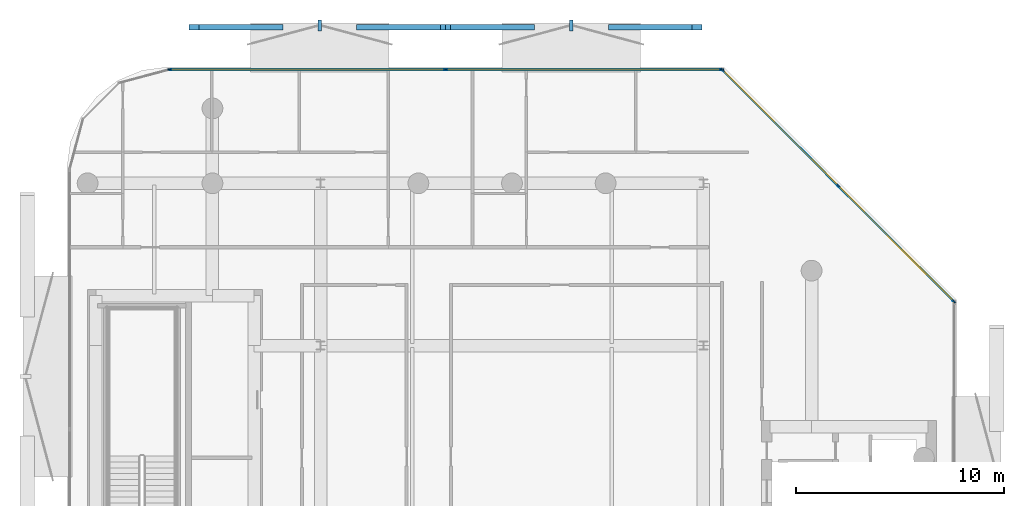
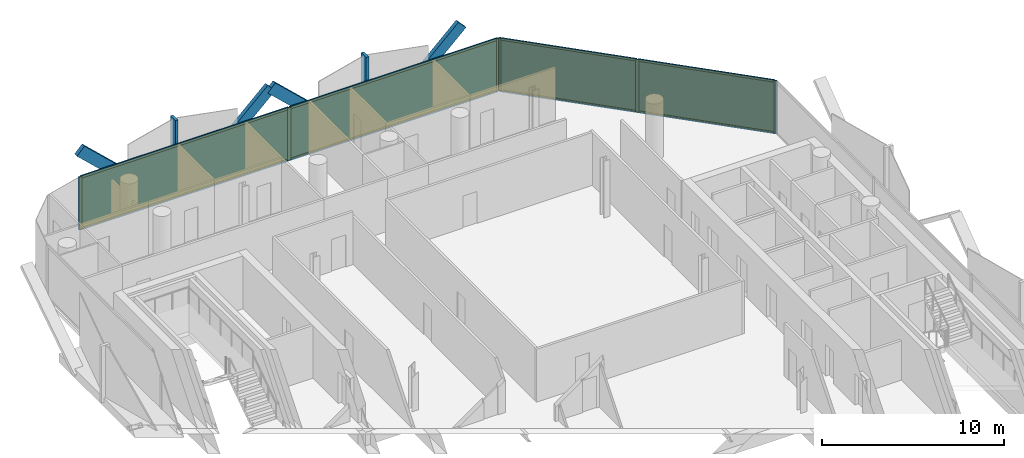
# One storey, part 12 of 15: 20 members, 4 plates, 2 curtain walls.
"""IFC4 building model written with IfcOpenShell, lengths in metres."""

from ifc_helpers import new_model, si_unit, direction, frame, frame_2d, origin, origin_2d, place, context, subcontext, project, spatial, rectangle, extrude, material, layer, layer_set, material_profile, profile_set, type_object, element, aggregate, save


model = new_model("IFC4")

# Units and contexts
model_context = context("Model", 3, precision=1e-05, world=origin(), true_north=direction((0.0, 1.0)))
body_context = subcontext(model_context, "Body", "Model", "MODEL_VIEW")
ifc_project = project(units=[si_unit("LENGTHUNIT", "METRE"), si_unit("AREAUNIT", "SQUARE_METRE"), si_unit("VOLUMEUNIT", "CUBIC_METRE"), si_unit("PLANEANGLEUNIT", "RADIAN"), si_unit("MASSUNIT", "GRAM", prefix="KILO")], contexts=[model_context])

# Member
ifc_material_1 = material(Name="Anodised Bronze Aluminium 6063-T6", Category="aluminium")
ifc_material_profile_1 = material_profile(ifc_material_1, rectangle(XDim=0.260009765625, YDim=0.699951171875, at=origin_2d()))
ifc_profile_set_1 = profile_set([ifc_material_profile_1], Name="Anodised Bronze Aluminium 6063-T6")
member_type_1 = type_object("IfcMemberType", Name="Bronze Diamond Solar-Screen Lattice Rib BDL-700", PredefinedType="MULLION", material=ifc_profile_set_1)
site_placement = place(None, origin())
building_placement = place(site_placement, origin())
storey_placement = place(building_placement, frame((0.0, 0.0, 285.199951171875)))
member_1_placement = place(storey_placement, frame((-7.2265625, 26.10009765625, -0.1298828125), z_axis=(0.72774836847, 0.0, 0.685844233182), x_axis=(0.0, 1.0, 0.0)))
member_1 = element("IfcMember", 1, at=member_1_placement, type_object=member_type_1, Name="L68 Bronze Diamond Solar Screen Lattice Rib 474A", PredefinedType="MULLION", context=body_context, shape_type="SweptSolid", body=[
    extrude(rectangle(XDim=0.260009765625, YDim=0.699951171875, at=origin_2d()), origin(), (0.0, 0.0, 1.0), 5.540771484375),
])

member_2_placement = place(storey_placement, frame((-11.2587890625, 26.10009765625, -0.1298828125), z_axis=(-0.727727640907, 0.0, 0.685866226505), x_axis=(0.0, -1.0, 0.0)))
member_2 = element("IfcMember", 2, at=member_2_placement, type_object=member_type_1, Name="L68 Bronze Diamond Solar Screen Lattice Rib 474B", PredefinedType="MULLION", context=body_context, shape_type="SweptSolid", body=[
    extrude(rectangle(XDim=0.260009765625, YDim=0.699951171875, at=origin_2d()), origin(), (0.0, 0.0, 1.0), 5.54052734375),
])

member_3_placement = place(storey_placement, frame((4.869873046875, 26.10009765625, -0.1298828125), z_axis=(0.72774836847, 0.0, 0.685844233182), x_axis=(0.0, 1.0, 0.0)))
member_3 = element("IfcMember", 3, at=member_3_placement, type_object=member_type_1, Name="L68 Bronze Diamond Solar Screen Lattice Rib 475A", PredefinedType="MULLION", context=body_context, shape_type="SweptSolid", body=[
    extrude(rectangle(XDim=0.260009765625, YDim=0.699951171875, at=origin_2d()), origin(), (0.0, 0.0, 1.0), 5.540771484375),
])

member_4_placement = place(storey_placement, frame((0.837646484375, 26.10009765625, -0.1298828125), z_axis=(-0.727727640907, 0.0, 0.685866226505), x_axis=(0.0, -1.0, 0.0)))
member_4 = element("IfcMember", 4, at=member_4_placement, type_object=member_type_1, Name="L68 Bronze Diamond Solar Screen Lattice Rib 475B", PredefinedType="MULLION", context=body_context, shape_type="SweptSolid", body=[
    extrude(rectangle(XDim=0.260009765625, YDim=0.699951171875, at=origin_2d()), origin(), (0.0, 0.0, 1.0), 5.54052734375),
])

ifc_material_2 = material(Name="Anodised Bronze Aluminium 6063-T6", Category="aluminium")
ifc_material_profile_2 = material_profile(ifc_material_2, rectangle(XDim=0.179931640625, YDim=0.5400390625, at=origin_2d()))
ifc_profile_set_2 = profile_set([ifc_material_profile_2], Name="Anodised Bronze Aluminium 6063-T6")
member_type_2 = type_object("IfcMemberType", Name="Bronze Solar-Screen Vertical Fold Fin BSF-540", PredefinedType="MULLION", material=ifc_profile_set_2)
member_5_placement = place(storey_placement, frame((-9.24267578125, 26.179931640625, -0.1298828125), z_axis=(0.0, 0.0, 1.0), x_axis=(1.0, 0.0, 0.0)))
member_5 = element("IfcMember", 5, at=member_5_placement, type_object=member_type_2, Name="L68 Bronze Solar Screen Vertical Fin 474", PredefinedType="MULLION", context=body_context, shape_type="SweptSolid", body=[
    extrude(rectangle(XDim=0.179931640625, YDim=0.5400390625, at=origin_2d()), origin(), (0.0, 0.0, 1.0), 3.800048828125),
])

member_6_placement = place(storey_placement, frame((2.853759765625, 26.179931640625, -0.1298828125), z_axis=(0.0, 0.0, 1.0), x_axis=(1.0, 0.0, 0.0)))
member_6 = element("IfcMember", 6, at=member_6_placement, type_object=member_type_2, Name="L68 Bronze Solar Screen Vertical Fin 475", PredefinedType="MULLION", context=body_context, shape_type="SweptSolid", body=[
    extrude(rectangle(XDim=0.179931640625, YDim=0.5400390625, at=origin_2d()), origin(), (0.0, 0.0, 1.0), 3.800048828125),
])

ifc_material_3 = material(Name="Anodised Bronze Aluminium 6063-T6", Category="aluminium")
ifc_material_profile_3 = material_profile(ifc_material_3, rectangle(XDim=0.074951171875, YDim=0.2099609375, at=origin_2d()))
ifc_profile_set_3 = profile_set([ifc_material_profile_3], Name="Anodised Bronze Aluminium 6063-T6")
member_type_3 = type_object("IfcMemberType", Name="CW-CRN Mullion 75x210", PredefinedType="MULLION", material=ifc_profile_set_3)
member_7_placement = place(storey_placement, frame((-16.453369140625, 24.06005859375, 0.0), z_axis=(0.0, 0.0, 1.0), x_axis=(0.0, 1.0, 0.0)))
member_7 = element("IfcMember", 7, at=member_7_placement, type_object=member_type_3, Name="CW-CRN mullion 1", PredefinedType="MULLION", context=body_context, shape_type="SweptSolid", body=[
    extrude(rectangle(XDim=0.074951171875, YDim=0.2099609375, at=origin_2d()), origin(), (0.0, 0.0, 1.0), 3.5400390625),
])

member_8_placement = place(storey_placement, frame((-3.1943359375, 24.06005859375, 0.0), z_axis=(0.0, 0.0, 1.0), x_axis=(0.0, 1.0, 0.0)))
member_8 = element("IfcMember", 8, at=member_8_placement, type_object=member_type_3, Name="CW-CRN mullion 2", PredefinedType="MULLION", context=body_context, shape_type="SweptSolid", body=[
    extrude(rectangle(XDim=0.074951171875, YDim=0.2099609375, at=origin_2d()), origin(), (0.0, 0.0, 1.0), 3.5400390625),
])

member_9_placement = place(storey_placement, frame((10.064453125, 24.06005859375, 0.0), z_axis=(0.0, 0.0, 1.0), x_axis=(0.0, 1.0, 0.0)))
member_9 = element("IfcMember", 9, at=member_9_placement, type_object=member_type_3, Name="CW-CRN mullion 3", PredefinedType="MULLION", context=body_context, shape_type="SweptSolid", body=[
    extrude(rectangle(XDim=0.074951171875, YDim=0.2099609375, at=origin_2d()), origin(), (0.0, 0.0, 1.0), 3.5400390625),
])

ifc_material_4 = material(Name="Anodised Bronze Aluminium 6063-T6", Category="aluminium")
ifc_material_profile_4 = material_profile(ifc_material_4, rectangle(XDim=0.074951171875, YDim=0.1650390625, at=origin_2d()))
ifc_profile_set_4 = profile_set([ifc_material_profile_4], Name="Anodised Bronze Aluminium 6063-T6")
member_type_4 = type_object("IfcMemberType", Name="CW-CRN Transom 75x165", PredefinedType="USERDEFINED", material=ifc_profile_set_4)
member_10_placement = place(storey_placement, frame((-16.415771484375, 24.06005859375, 0.03759765625), z_axis=(1.0, 0.0, 0.0), x_axis=(0.0, 1.0, 0.0)))
member_10 = element("IfcMember", 10, at=member_10_placement, type_object=member_type_4, Name="CW-CRN transom 1.1", ObjectType="TRANSOM", PredefinedType="USERDEFINED", context=body_context, shape_type="SweptSolid", body=[
    extrude(rectangle(XDim=0.074951171875, YDim=0.1650390625, at=origin_2d()), origin(), (0.0, 0.0, 1.0), 13.183837890625),
])

member_11_placement = place(storey_placement, frame((-16.415771484375, 24.06005859375, 3.50244140625), z_axis=(1.0, 0.0, 0.0), x_axis=(0.0, 1.0, 0.0)))
member_11 = element("IfcMember", 11, at=member_11_placement, type_object=member_type_4, Name="CW-CRN transom 1.2", ObjectType="TRANSOM", PredefinedType="USERDEFINED", context=body_context, shape_type="SweptSolid", body=[
    extrude(rectangle(XDim=0.074951171875, YDim=0.1650390625, at=origin_2d()), origin(), (0.0, 0.0, 1.0), 13.183837890625),
])

member_12_placement = place(storey_placement, frame((-3.156982421875, 24.06005859375, 0.03759765625), z_axis=(1.0, 0.0, 0.0), x_axis=(0.0, 1.0, 0.0)))
member_12 = element("IfcMember", 12, at=member_12_placement, type_object=member_type_4, Name="CW-CRN transom 2.1", ObjectType="TRANSOM", PredefinedType="USERDEFINED", context=body_context, shape_type="SweptSolid", body=[
    extrude(rectangle(XDim=0.074951171875, YDim=0.1650390625, at=origin_2d()), origin(), (0.0, 0.0, 1.0), 13.18408203125),
])

member_13_placement = place(storey_placement, frame((-3.156982421875, 24.06005859375, 3.50244140625), z_axis=(1.0, 0.0, 0.0), x_axis=(0.0, 1.0, 0.0)))
member_13 = element("IfcMember", 13, at=member_13_placement, type_object=member_type_4, Name="CW-CRN transom 2.2", ObjectType="TRANSOM", PredefinedType="USERDEFINED", context=body_context, shape_type="SweptSolid", body=[
    extrude(rectangle(XDim=0.074951171875, YDim=0.1650390625, at=origin_2d()), origin(), (0.0, 0.0, 1.0), 13.18408203125),
])

ifc_material_5 = material(Name="Anodised Bronze Aluminium 6063-T6", Category="aluminium")
ifc_material_profile_5 = material_profile(ifc_material_5, rectangle(XDim=0.070068359375, YDim=0.18994140625, at=origin_2d()))
ifc_profile_set_5 = profile_set([ifc_material_profile_5], Name="Anodised Bronze Aluminium 6063-T6")
member_type_5 = type_object("IfcMemberType", Name="CW-SLC Mullion 70x190", PredefinedType="MULLION", material=ifc_profile_set_5)
member_14_placement = place(storey_placement, frame((10.126708984375, 24.03515625, 0.0), z_axis=(0.0, 0.0, 1.0), x_axis=(0.707106781187, 0.707106781187, 0.0)))
member_14 = element("IfcMember", 14, at=member_14_placement, type_object=member_type_5, Name="CW-SLC mullion 1", PredefinedType="MULLION", context=body_context, shape_type="SweptSolid", body=[
    extrude(rectangle(XDim=0.070068359375, YDim=0.18994140625, at=origin_2d()), origin(), (0.0, 0.0, 1.0), 3.5400390625),
])

member_15_placement = place(storey_placement, frame((15.680908203125, 18.48095703125, 0.0), z_axis=(0.0, 0.0, 1.0), x_axis=(0.707106781187, 0.707106781187, 0.0)))
member_15 = element("IfcMember", 15, at=member_15_placement, type_object=member_type_5, Name="CW-SLC mullion 2", PredefinedType="MULLION", context=body_context, shape_type="SweptSolid", body=[
    extrude(rectangle(XDim=0.070068359375, YDim=0.18994140625, at=origin_2d()), origin(), (0.0, 0.0, 1.0), 3.5400390625),
])

member_16_placement = place(storey_placement, frame((21.2353515625, 12.9267578125, 0.0), z_axis=(0.0, 0.0, 1.0), x_axis=(0.707106781187, 0.707106781187, 0.0)))
member_16 = element("IfcMember", 16, at=member_16_placement, type_object=member_type_5, Name="CW-SLC mullion 3", PredefinedType="MULLION", context=body_context, shape_type="SweptSolid", body=[
    extrude(rectangle(XDim=0.070068359375, YDim=0.18994140625, at=origin_2d()), origin(), (0.0, 0.0, 1.0), 3.5400390625),
])

ifc_material_6 = material(Name="Anodised Bronze Aluminium 6063-T6", Category="aluminium")
ifc_material_profile_6 = material_profile(ifc_material_6, rectangle(XDim=0.070068359375, YDim=0.14990234375, at=origin_2d()))
ifc_profile_set_6 = profile_set([ifc_material_profile_6], Name="Anodised Bronze Aluminium 6063-T6")
member_type_6 = type_object("IfcMemberType", Name="CW-SLC Transom 70x150", PredefinedType="USERDEFINED", material=ifc_profile_set_6)
member_17_placement = place(storey_placement, frame((10.151611328125, 24.010498046875, 0.03515625), z_axis=(0.707106781187, -0.707106781187, 0.0), x_axis=(0.707106781187, 0.707106781187, 0.0)))
member_17 = element("IfcMember", 17, at=member_17_placement, type_object=member_type_6, Name="CW-SLC transom 1.1", ObjectType="TRANSOM", PredefinedType="USERDEFINED", context=body_context, shape_type="SweptSolid", body=[
    extrude(rectangle(XDim=0.070068359375, YDim=0.14990234375, at=origin_2d()), origin(), (0.0, 0.0, 1.0), 7.78466796875),
])

member_18_placement = place(storey_placement, frame((10.151611328125, 24.010498046875, 3.505126953125), z_axis=(0.707106781187, -0.707106781187, 0.0), x_axis=(0.707106781187, 0.707106781187, 0.0)))
member_18 = element("IfcMember", 18, at=member_18_placement, type_object=member_type_6, Name="CW-SLC transom 1.2", ObjectType="TRANSOM", PredefinedType="USERDEFINED", context=body_context, shape_type="SweptSolid", body=[
    extrude(rectangle(XDim=0.070068359375, YDim=0.14990234375, at=origin_2d()), origin(), (0.0, 0.0, 1.0), 7.78466796875),
])

member_19_placement = place(storey_placement, frame((15.705810546875, 18.456298828125, 0.03515625), z_axis=(0.707091100632, -0.707122461394, 0.0), x_axis=(0.707122461394, 0.707091100632, 0.0)))
member_19 = element("IfcMember", 19, at=member_19_placement, type_object=member_type_6, Name="CW-SLC transom 2.1", ObjectType="TRANSOM", PredefinedType="USERDEFINED", context=body_context, shape_type="SweptSolid", body=[
    extrude(rectangle(XDim=0.070068359375, YDim=0.14990234375, at=origin_2d()), origin(), (0.0, 0.0, 1.0), 7.784912109375),
])

member_20_placement = place(storey_placement, frame((15.705810546875, 18.456298828125, 3.505126953125), z_axis=(0.707091100632, -0.707122461394, 0.0), x_axis=(0.707122461394, 0.707091100632, 0.0)))
member_20 = element("IfcMember", 20, at=member_20_placement, type_object=member_type_6, Name="CW-SLC transom 2.2", ObjectType="TRANSOM", PredefinedType="USERDEFINED", context=body_context, shape_type="SweptSolid", body=[
    extrude(rectangle(XDim=0.070068359375, YDim=0.14990234375, at=origin_2d()), origin(), (0.0, 0.0, 1.0), 7.784912109375),
])

# Plate
ifc_material_7 = material(Name="Low-E Solar Control Laminated Glass", Category="glass")
ifc_layer_1 = layer(ifc_material_7, 0.035888671875, Name="Low-E Solar Control Laminated Glass")
ifc_layer_set_1 = layer_set([ifc_layer_1], Name="Low-E Solar Control Laminated Glass")
plate_type_1 = type_object("IfcPlateType", Name="CW-CRN Low-E Double Glazed Panel 36mm", PredefinedType="CURTAIN_PANEL", material=ifc_layer_set_1)
plate_1_placement = place(storey_placement, frame((-9.82373046875, 24.06005859375, 0.0751953125), z_axis=(0.0, 0.0, 1.0), x_axis=(1.0, 0.0, 0.0)))
plate_1 = element("IfcPlate", 21, at=plate_1_placement, type_object=plate_type_1, Name="CW-CRN panel 1.1", PredefinedType="CURTAIN_PANEL", context=body_context, shape_type="SweptSolid", body=[
    extrude(rectangle(XDim=13.183837890625, YDim=0.035888671875, at=origin_2d()), origin(), (0.0, 0.0, 1.0), 3.389892578125),
])

plate_2_placement = place(storey_placement, frame((3.43505859375, 24.06005859375, 0.0751953125), z_axis=(0.0, 0.0, 1.0), x_axis=(1.0, 0.0, 0.0)))
plate_2 = element("IfcPlate", 22, at=plate_2_placement, type_object=plate_type_1, Name="CW-CRN panel 2.1", PredefinedType="CURTAIN_PANEL", context=body_context, shape_type="SweptSolid", body=[
    extrude(rectangle(XDim=13.183837890625, YDim=0.035888671875, at=origin_2d()), origin(), (0.0, 0.0, 1.0), 3.389892578125),
])

ifc_material_8 = material(Name="Low-E Solar Control Laminated Glass", Category="glass")
ifc_layer_2 = layer(ifc_material_8, 0.033935546875, Name="Low-E Solar Control Laminated Glass")
ifc_layer_set_2 = layer_set([ifc_layer_2], Name="Low-E Solar Control Laminated Glass")
plate_type_2 = type_object("IfcPlateType", Name="CW-SLC Low-E Double Glazed Panel 34mm", PredefinedType="CURTAIN_PANEL", material=ifc_layer_set_2)
plate_3_placement = place(storey_placement, frame((12.90380859375, 21.258056640625, 0.070068359375), z_axis=(0.0, 0.0, 1.0), x_axis=(0.707106781187, -0.707106781187, 0.0)))
plate_3 = element("IfcPlate", 23, at=plate_3_placement, type_object=plate_type_2, Name="CW-SLC panel 1.1", PredefinedType="CURTAIN_PANEL", context=body_context, shape_type="SweptSolid", body=[
    extrude(rectangle(XDim=7.784912109375, YDim=0.033935546875, at=origin_2d()), origin(), (0.0, 0.0, 1.0), 3.39990234375),
])

plate_4_placement = place(storey_placement, frame((18.4580078125, 15.703857421875, 0.070068359375), z_axis=(0.0, 0.0, 1.0), x_axis=(0.707106781187, -0.707106781187, 0.0)))
plate_4 = element("IfcPlate", 24, at=plate_4_placement, type_object=plate_type_2, Name="CW-SLC panel 2.1", PredefinedType="CURTAIN_PANEL", context=body_context, shape_type="SweptSolid", body=[
    extrude(rectangle(XDim=7.784912109375, YDim=0.033935546875, at=origin_2d()), origin(), (0.0, 0.0, 1.0), 3.39990234375),
])

# Site, building, storey
site = spatial("IfcSite", under=ifc_project, at=site_placement, CompositionType="ELEMENT")
building = spatial("IfcBuilding", under=site, at=building_placement, Name="Khairoan Windgate Tower", CompositionType="ELEMENT")
storey = spatial("IfcBuildingStorey", under=building, at=storey_placement, Name="L68", CompositionType="ELEMENT", Elevation=285.199951171875)

# Curtain wall
ifc_material_9 = material(Name="Anodised Bronze Aluminium 6063-T6", Category="aluminium")
ifc_layer_3 = layer(ifc_material_9, 0.2099609375, Name="Anodised Bronze Aluminium 6063-T6")
ifc_layer_set_3 = layer_set([ifc_layer_3], Name="Anodised Bronze Aluminium 6063-T6")
curtain_wall_type_1 = type_object("IfcCurtainWallType", Name="Crown Observation and Vitrine Curtain Wall CW-CRN", PredefinedType="NOTDEFINED", material=ifc_layer_set_3)
curtain_wall_1_placement = place(storey_placement, frame((-16.49072265625, 24.06005859375, 0.0), z_axis=(0.0, 0.0, 1.0), x_axis=(1.0, 0.0, 0.0)))
curtain_wall_1 = element("IfcCurtainWall", 25, at=curtain_wall_1_placement, inside=storey, type_object=curtain_wall_type_1, Name="L68 Unitised Curtain Wall 7", PredefinedType="NOTDEFINED", context=body_context, shape_type="SweptSolid", body=[
    extrude(rectangle(XDim=26.5927734375, YDim=0.010009765625, at=frame_2d((13.29638671875, 0.0))), origin(), (0.0, 0.0, 1.0), 3.5400390625),
])

aggregate(curtain_wall_1, [member_7, member_8, member_9, member_10, member_11, plate_1, member_12, member_13, plate_2, member_1, member_2, member_5, member_3, member_4, member_6])

ifc_material_10 = material(Name="Anodised Bronze Aluminium 6063-T6", Category="aluminium")
ifc_layer_4 = layer(ifc_material_10, 0.18994140625, Name="Anodised Bronze Aluminium 6063-T6")
ifc_layer_set_4 = layer_set([ifc_layer_4], Name="Anodised Bronze Aluminium 6063-T6")
curtain_wall_type_2 = type_object("IfcCurtainWallType", Name="Diagonal Corner-Slice Facet Curtain Wall CW-SLC", PredefinedType="NOTDEFINED", material=ifc_layer_set_4)
curtain_wall_2_placement = place(storey_placement, frame((10.10205078125, 24.06005859375, 0.0), z_axis=(0.0, 0.0, 1.0), x_axis=(0.707106781187, -0.707106781187, 0.0)))
curtain_wall_2 = element("IfcCurtainWall", 26, at=curtain_wall_2_placement, inside=storey, type_object=curtain_wall_type_2, Name="L68 Crystal Slice Curtain Wall 8", PredefinedType="NOTDEFINED", context=body_context, shape_type="SweptSolid", body=[
    extrude(rectangle(XDim=15.77978515625, YDim=0.010009765625, at=frame_2d((7.889892578125, 0.0))), origin(), (0.0, 0.0, 1.0), 3.5400390625),
])

aggregate(curtain_wall_2, [member_14, member_15, member_16, member_17, member_18, plate_3, member_19, member_20, plate_4])

save(model, "model.ifc")
